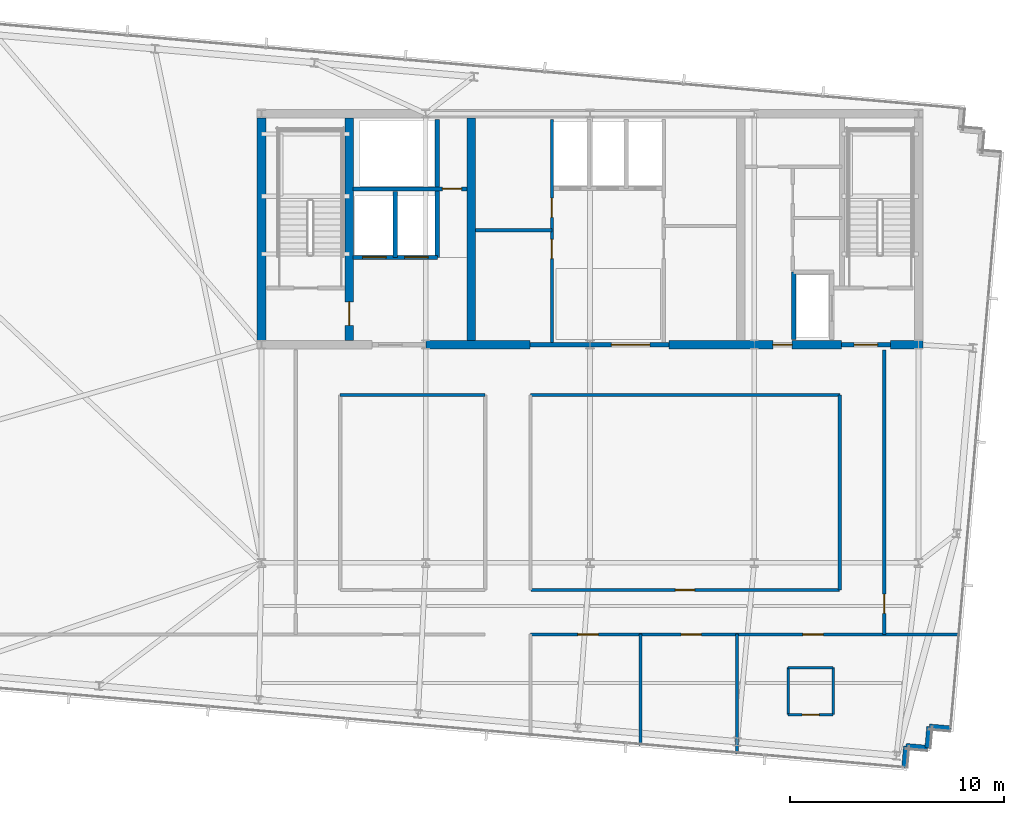
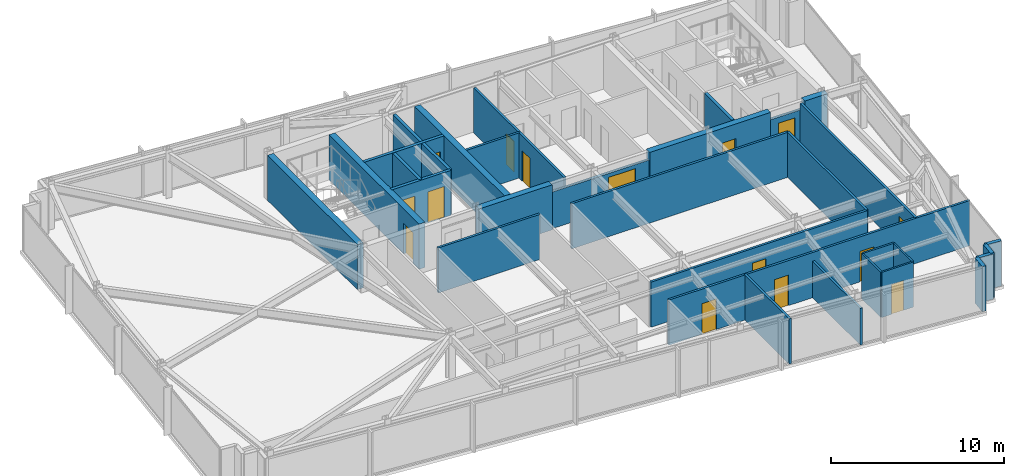
# One storey, part 27 of 32: 31 walls, 15 doors, 15 openings.
"""IFC4 building model written with IfcOpenShell, lengths in metres."""

from ifc_helpers import new_model, si_unit, direction, frame, frame_2d, origin, place, context, subcontext, project, spatial, rectangle, extrude, material, layer, layer_set, type_object, element, fill, save


model = new_model("IFC4")

# Units and contexts
model_context = context("Model", 3, precision=1e-05, world=origin(), true_north=direction((0.0, 1.0)))
body_context = subcontext(model_context, "Body", "Model", "MODEL_VIEW")
ifc_project = project(units=[si_unit("LENGTHUNIT", "METRE"), si_unit("AREAUNIT", "SQUARE_METRE"), si_unit("VOLUMEUNIT", "CUBIC_METRE"), si_unit("PLANEANGLEUNIT", "RADIAN"), si_unit("MASSUNIT", "GRAM", prefix="KILO")], contexts=[model_context])

# Site, building, storey
site_placement = place(None, origin())
site = spatial("IfcSite", under=ifc_project, at=site_placement, CompositionType="ELEMENT")
building_placement = place(site_placement, origin())
building = spatial("IfcBuilding", under=site, at=building_placement, Name="Yelkora Congress Tower", CompositionType="ELEMENT")
storey_placement = place(building_placement, frame((0.0, 0.0, 276.10009765625)))
storey = spatial("IfcBuildingStorey", under=building, at=storey_placement, Name="L77", CompositionType="ELEMENT", Elevation=276.10009765625)

# Wall
ifc_material_1 = material(Name="Concrete C50/60", Category="concrete")
ifc_layer_1 = layer(ifc_material_1, 0.39990234375)
ifc_layer_set_1 = layer_set([ifc_layer_1], Name="Concrete C50/60")
wall_type_1 = type_object("IfcWallType", Name="WALL-CORE-INT-400", PredefinedType="SHEAR", material=ifc_layer_set_1)
wall_1_placement = place(storey_placement, frame((30.719970703125, 35.39990234375, 0.0), z_axis=(0.0, 0.0, 1.0), x_axis=(1.0, 0.0, 0.0)))
element("IfcWall", 1, at=wall_1_placement, inside=storey, type_object=wall_type_1, Name="L77 Rear Core South-Center Shear Pier", PredefinedType="SHEAR", context=body_context, shape_type="SweptSolid", body=[
    extrude(rectangle(XDim=4.880126953125, YDim=0.39990234375, at=frame_2d((2.43994140625, 0.0))), origin(), (0.0, 0.0, 1.0), 3.179931640625),
])

# Wall, opening, door
wall_2_placement = place(storey_placement, frame((42.10009765625, 35.39990234375, 0.0), z_axis=(0.0, 0.0, 1.0), x_axis=(1.0, 0.0, 0.0)))
wall_2 = element("IfcWall", 2, at=wall_2_placement, inside=storey, type_object=wall_type_1, Name="L77 Rear Core South-East Shear Wall A", PredefinedType="SHEAR", context=body_context, shape_type="SweptSolid", body=[
    extrude(rectangle(XDim=8.0498046875, YDim=0.39990234375, at=frame_2d((4.02490234375, 0.0))), origin(), (0.0, 0.0, 1.0), 3.179931640625),
])
opening_1_placement = place(wall_2_placement, frame((4.85009765625, 0.0, 0.0)))
opening_1 = element("IfcOpeningElement", 3, at=opening_1_placement, cuts=wall_2, Name="Opening DR-090F6", PredefinedType="OPENING", context=body_context, shape_type="SweptSolid", body=[
    extrude(rectangle(XDim=0.89990234375, YDim=2.14990234375, at=frame_2d((0.449951171875, 1.074951171875))), frame((0.0, 0.2099609375, 0.0), z_axis=(0.0, -1.0, 0.0), x_axis=(1.0, 0.0, 0.0)), (0.0, 0.0, 1.0), 0.419921875),
])
ifc_material_2 = material(Name="Painted steel riser fire door leaf", Category="steel")
door_type_1 = type_object("IfcDoorType", Name="DOOR-FD60-900", OperationType="NOTDEFINED", PredefinedType="DOOR", material=ifc_material_2)
door_1_placement = place(opening_1_placement, origin())
door_1 = element("IfcDoor", 4, at=door_1_placement, inside=storey, type_object=door_type_1, Name="L77 Core Washroom Lobby Door", OperationType="SINGLE_SWING_RIGHT", OverallHeight=2.14990234375, OverallWidth=0.89990234375, PredefinedType="DOOR", context=body_context, shape_type="SweptSolid", body=[
    extrude(rectangle(XDim=0.89990234375, YDim=2.14990234375, at=frame_2d((0.449951171875, 1.074951171875))), frame((0.0, 0.02490234375, 0.0), z_axis=(0.0, -1.0, 0.0), x_axis=(1.0, 0.0, 0.0)), (0.0, 0.0, 1.0), 0.050048828125),
])
fill(opening_1, door_1)

# Walls
wall_3_placement = place(storey_placement, frame((52.449951171875, 35.39990234375, 0.0), z_axis=(0.0, 0.0, 1.0), x_axis=(1.0, 0.0, 0.0)))
element("IfcWall", 5, at=wall_3_placement, inside=storey, type_object=wall_type_1, Name="L77 Rear Core South-East Shear Wall B", PredefinedType="SHEAR", context=body_context, shape_type="SweptSolid", body=[
    extrude(rectangle(XDim=1.510009765625, YDim=0.39990234375, at=frame_2d((0.7548828125, 0.0))), origin(), (0.0, 0.0, 1.0), 3.179931640625),
])
wall_4_placement = place(storey_placement, frame((23.0400390625, 35.60009765625, 0.0), z_axis=(0.0, 0.0, 1.0), x_axis=(0.0, 1.0, 0.0)))
element("IfcWall", 6, at=wall_4_placement, inside=storey, type_object=wall_type_1, Name="L77 Rear Core Cross Shear Wall W", PredefinedType="SHEAR", context=body_context, shape_type="SweptSolid", body=[
    extrude(rectangle(XDim=10.39990234375, YDim=0.39990234375, at=frame_2d((5.199951171875, 0.0))), origin(), (0.0, 0.0, 1.0), 3.179931640625),
])

# Wall, opening, door
wall_5_placement = place(storey_placement, frame((27.14990234375, 35.60009765625, 0.0), z_axis=(0.0, 0.0, 1.0), x_axis=(0.0, 1.0, 0.0)))
wall_5 = element("IfcWall", 7, at=wall_5_placement, inside=storey, type_object=wall_type_1, Name="L77 Rear Core Cross Shear Wall C1", PredefinedType="SHEAR", context=body_context, shape_type="SweptSolid", body=[
    extrude(rectangle(XDim=10.39990234375, YDim=0.39990234375, at=frame_2d((5.199951171875, 0.0))), origin(), (0.0, 0.0, 1.0), 3.179931640625),
])
opening_2_placement = place(wall_5_placement, frame((0.699951171875, 0.0, 0.0)))
opening_2 = element("IfcOpeningElement", 8, at=opening_2_placement, cuts=wall_5, Name="Opening DR-110F9", PredefinedType="OPENING", context=body_context, shape_type="SweptSolid", body=[
    extrude(rectangle(XDim=1.10009765625, YDim=2.14990234375, at=frame_2d((0.550048828125, 1.074951171875))), frame((0.0, 0.2099609375, 0.0), z_axis=(0.0, -1.0, 0.0), x_axis=(1.0, 0.0, 0.0)), (0.0, 0.0, 1.0), 0.419921875),
])
ifc_material_3 = material(Name="Galvanised steel fire door leaf", Category="steel")
door_type_2 = type_object("IfcDoorType", Name="DOOR-FD90-1100", OperationType="NOTDEFINED", PredefinedType="DOOR", material=ifc_material_3)
door_2_placement = place(opening_2_placement, origin())
door_2 = element("IfcDoor", 9, at=door_2_placement, inside=storey, type_object=door_type_2, Name="L77 Firefighting Stair Transfer Door", OperationType="SINGLE_SWING_LEFT", OverallHeight=2.14990234375, OverallWidth=1.10009765625, PredefinedType="DOOR", context=body_context, shape_type="SweptSolid", body=[
    extrude(rectangle(XDim=1.10009765625, YDim=2.14990234375, at=frame_2d((0.550048828125, 1.074951171875))), frame((0.0, 0.02490234375, 0.0), z_axis=(0.0, -1.0, 0.0), x_axis=(1.0, 0.0, 0.0)), (0.0, 0.0, 1.0), 0.050048828125),
])
fill(opening_2, door_2)

# Walls
wall_6_placement = place(storey_placement, frame((32.85009765625, 35.60009765625, 0.0), z_axis=(0.0, 0.0, 1.0), x_axis=(0.0, 1.0, 0.0)))
element("IfcWall", 10, at=wall_6_placement, inside=storey, type_object=wall_type_1, Name="L77 Rear Core Cross Shear Wall C2", PredefinedType="SHEAR", context=body_context, shape_type="SweptSolid", body=[
    extrude(rectangle(XDim=10.39990234375, YDim=0.39990234375, at=frame_2d((5.199951171875, 0.0))), origin(), (0.0, 0.0, 1.0), 3.179931640625),
])
ifc_material_4 = material(Name="Concrete C40/50", Category="concrete")
ifc_layer_2 = layer(ifc_material_4, 0.239990234375)
ifc_layer_set_2 = layer_set([ifc_layer_2], Name="Concrete C40/50")
wall_type_2 = type_object("IfcWallType", Name="WALL-EXT-LIMESTONE-240", PredefinedType="SOLIDWALL", material=ifc_layer_set_2)
for number, where, z_axis, x_axis, name in (
    (11, (55.2578125, 17.458740234375, 0.0), (0.0, 0.0, 1.0), (-0.996193717496, 0.087166950281, 0.0), "L77 Serrated Corner Limestone Pier 16"),
    (12, (54.26171875, 17.5458984375, 0.0), (0.0, 0.0, 1.0), (-0.087166950281, -0.996193717496, 0.0), "L77 Serrated Corner Limestone Pier 17"),
):
    element("IfcWall", number, at=place(storey_placement, frame(where, z_axis=z_axis, x_axis=x_axis)), inside=storey, type_object=wall_type_2, Name=name, PredefinedType="SOLIDWALL", context=body_context, shape_type="SweptSolid", body=[
        extrude(rectangle(XDim=1.0, YDim=0.239990234375, at=frame_2d((0.5, 0.0))), origin(), (0.0, 0.0, 1.0), 3.179931640625),
    ])
for number, where, z_axis, x_axis, name in (
    (13, (54.174560546875, 16.5498046875, 0.0), (0.0, 0.0, 1.0), (-0.996195572005, 0.087145753297, 0.0), "L77 Serrated Corner Limestone Pier 18"),
    (14, (53.17822265625, 16.636962890625, 0.0), (0.0, 0.0, 1.0), (-0.087145753297, -0.996195572005, 0.0), "L77 Serrated Corner Limestone Pier 19"),
):
    element("IfcWall", number, at=place(storey_placement, frame(where, z_axis=z_axis, x_axis=x_axis)), inside=storey, type_object=wall_type_2, Name=name, PredefinedType="SOLIDWALL", context=body_context, shape_type="SweptSolid", body=[
        extrude(rectangle(XDim=1.000244140625, YDim=0.239990234375, at=frame_2d((0.5, 0.0))), origin(), (0.0, 0.0, 1.0), 3.179931640625),
    ])
ifc_material_5 = material(Name="Moisture-resistant gypsum partition", Category="gypsum")
ifc_layer_3 = layer(ifc_material_5, 0.1201171875)
ifc_layer_set_3 = layer_set([ifc_layer_3], Name="Moisture-resistant gypsum partition")
wall_type_3 = type_object("IfcWallType", Name="WALL-INT-120-NR", PredefinedType="PARTITIONING", material=ifc_layer_set_3)
wall_7_placement = place(storey_placement, frame((47.666015625, 20.300048828125, 0.0), z_axis=(0.0, 0.0, 1.0), x_axis=(1.0, 0.0, 0.0)))
element("IfcWall", 15, at=wall_7_placement, inside=storey, type_object=wall_type_3, Name="L77 Partition Wall 25", PredefinedType="PARTITIONING", context=body_context, shape_type="SweptSolid", body=[
    extrude(rectangle(XDim=2.10009765625, YDim=0.1201171875, at=frame_2d((1.050048828125, 0.0))), origin(), (0.0, 0.0, 1.0), 3.179931640625),
])
for number, where, z_axis, x_axis, name in (
    (16, (47.666015625, 18.10009765625, 0.0), (0.0, 0.0, 1.0), (0.0, 1.0, 0.0), "L77 Partition Wall 26"),
    (17, (49.76611328125, 18.10009765625, 0.0), (0.0, 0.0, 1.0), (0.0, 1.0, 0.0), "L77 Partition Wall 27"),
):
    element("IfcWall", number, at=place(storey_placement, frame(where, z_axis=z_axis, x_axis=x_axis)), inside=storey, type_object=wall_type_3, Name=name, PredefinedType="PARTITIONING", context=body_context, shape_type="SweptSolid", body=[
        extrude(rectangle(XDim=2.199951171875, YDim=0.1201171875, at=frame_2d((1.10009765625, 0.0))), origin(), (0.0, 0.0, 1.0), 3.179931640625),
    ])

# Wall, opening, door
wall_8_placement = place(storey_placement, frame((47.666015625, 18.10009765625, 0.0), z_axis=(0.0, 0.0, 1.0), x_axis=(1.0, 0.0, 0.0)))
wall_8 = element("IfcWall", 18, at=wall_8_placement, inside=storey, type_object=wall_type_3, Name="L77 Partition Wall 28", PredefinedType="PARTITIONING", context=body_context, shape_type="SweptSolid", body=[
    extrude(rectangle(XDim=2.10009765625, YDim=0.1201171875, at=frame_2d((1.050048828125, 0.0))), origin(), (0.0, 0.0, 1.0), 3.179931640625),
])
opening_3_placement = place(wall_8_placement, frame((0.64990234375, 0.0, 0.0)))
opening_3 = element("IfcOpeningElement", 19, at=opening_3_placement, cuts=wall_8, Name="Opening DR-080B", PredefinedType="OPENING", context=body_context, shape_type="SweptSolid", body=[
    extrude(rectangle(XDim=0.800048828125, YDim=2.10009765625, at=frame_2d((0.39990234375, 1.050048828125))), frame((0.0, 0.070068359375, 0.0), z_axis=(0.0, -1.0, 0.0), x_axis=(1.0, 0.0, 0.0)), (0.0, 0.0, 1.0), 0.14013671875),
])
ifc_material_6 = material(Name="Moisture-sealed en-suite timber door", Category="wood")
door_type_3 = type_object("IfcDoorType", Name="DOOR-BATH-800", OperationType="NOTDEFINED", PredefinedType="DOOR", material=ifc_material_6)
door_3_placement = place(opening_3_placement, origin())
door_3 = element("IfcDoor", 20, at=door_3_placement, inside=storey, type_object=door_type_3, Name="L77 En-suite Door 5", OperationType="SINGLE_SWING_RIGHT", OverallHeight=2.10009765625, OverallWidth=0.800048828125, PredefinedType="DOOR", context=body_context, shape_type="SweptSolid", body=[
    extrude(rectangle(XDim=0.800048828125, YDim=2.10009765625, at=frame_2d((0.39990234375, 1.050048828125))), frame((0.0, 0.02490234375, 0.0), z_axis=(0.0, -1.0, 0.0), x_axis=(1.0, 0.0, 0.0)), (0.0, 0.0, 1.0), 0.050048828125),
])
fill(opening_3, door_3)

ifc_material_7 = material(Name="Acoustic metal-stud gypsum partition", Category="gypsum")
ifc_layer_4 = layer(ifc_material_7, 0.14990234375)
ifc_layer_set_4 = layer_set([ifc_layer_4], Name="Acoustic metal-stud gypsum partition")
wall_type_4 = type_object("IfcWallType", Name="WALL-INT-150-NR", PredefinedType="PARTITIONING", material=ifc_layer_set_4)
wall_9_placement = place(storey_placement, frame((52.159912109375, 21.85009765625, 0.0), z_axis=(0.0, 0.0, 1.0), x_axis=(0.0, 1.0, 0.0)))
wall_9 = element("IfcWall", 21, at=wall_9_placement, inside=storey, type_object=wall_type_4, Name="L77 Partition Wall 33", PredefinedType="PARTITIONING", context=body_context, shape_type="SweptSolid", body=[
    extrude(rectangle(XDim=13.289794921875, YDim=0.14990234375, at=frame_2d((6.64501953125, 0.0))), origin(), (0.0, 0.0, 1.0), 3.179931640625),
])
opening_4_placement = place(wall_9_placement, frame((0.984375, 0.0, 0.0)))
opening_4 = element("IfcOpeningElement", 22, at=opening_4_placement, cuts=wall_9, Name="Opening DR-090N", PredefinedType="OPENING", context=body_context, shape_type="SweptSolid", body=[
    extrude(rectangle(XDim=0.89990234375, YDim=2.14990234375, at=frame_2d((0.449951171875, 1.074951171875))), frame((0.0, 0.0849609375, 0.0), z_axis=(0.0, -1.0, 0.0), x_axis=(1.0, 0.0, 0.0)), (0.0, 0.0, 1.0), 0.169921875),
])
ifc_material_8 = material(Name="Moisture-resistant laminate door leaf", Category="wood")
door_type_4 = type_object("IfcDoorType", Name="DOOR-INT-900", OperationType="NOTDEFINED", PredefinedType="DOOR", material=ifc_material_8)
door_4_placement = place(opening_4_placement, origin())
door_4 = element("IfcDoor", 23, at=door_4_placement, inside=storey, type_object=door_type_4, Name="L77 E Wing Door", OperationType="SINGLE_SWING_RIGHT", OverallHeight=2.14990234375, OverallWidth=0.89990234375, PredefinedType="DOOR", context=body_context, shape_type="SweptSolid", body=[
    extrude(rectangle(XDim=0.89990234375, YDim=2.14990234375, at=frame_2d((0.449951171875, 1.074951171875))), frame((0.0, 0.02490234375, 0.0), z_axis=(0.0, -1.0, 0.0), x_axis=(1.0, 0.0, 0.0)), (0.0, 0.0, 1.0), 0.050048828125),
])
fill(opening_4, door_4)

# Walls
wall_10_placement = place(storey_placement, frame((50.080078125, 23.929931640625, 0.0), z_axis=(0.0, 0.0, 1.0), x_axis=(0.0, 1.0, 0.0)))
element("IfcWall", 24, at=wall_10_placement, inside=storey, type_object=wall_type_4, Name="L77 Partition Wall 35", PredefinedType="PARTITIONING", context=body_context, shape_type="SweptSolid", body=[
    extrude(rectangle(XDim=9.1201171875, YDim=0.14990234375, at=frame_2d((4.56005859375, 0.0))), origin(), (0.0, 0.0, 1.0), 3.179931640625),
])
wall_11_placement = place(storey_placement, frame((26.719970703125, 33.050048828125, 0.0), z_axis=(0.0, 0.0, 1.0), x_axis=(1.0, 0.0, 0.0)))
element("IfcWall", 25, at=wall_11_placement, inside=storey, type_object=wall_type_4, Name="L77 Partition Wall 38", PredefinedType="PARTITIONING", context=body_context, shape_type="SweptSolid", body=[
    extrude(rectangle(XDim=6.780029296875, YDim=0.14990234375, at=frame_2d((3.39013671875, 0.0))), origin(), (0.0, 0.0, 1.0), 3.179931640625),
])
wall_12_placement = place(storey_placement, frame((35.6201171875, 33.050048828125, 0.0), z_axis=(0.0, 0.0, 1.0), x_axis=(1.0, 0.0, 0.0)))
element("IfcWall", 26, at=wall_12_placement, inside=storey, type_object=wall_type_4, Name="L77 Partition Wall 39", PredefinedType="PARTITIONING", context=body_context, shape_type="SweptSolid", body=[
    extrude(rectangle(XDim=14.4599609375, YDim=0.14990234375, at=frame_2d((7.22998046875, 0.0))), origin(), (0.0, 0.0, 1.0), 3.179931640625),
])

# Wall, opening, door
wall_13_placement = place(storey_placement, frame((35.6298828125, 23.929931640625, 0.0), z_axis=(0.0, 0.0, 1.0), x_axis=(1.0, 0.0, 0.0)))
wall_13 = element("IfcWall", 27, at=wall_13_placement, inside=storey, type_object=wall_type_4, Name="L77 Partition Wall 41", PredefinedType="PARTITIONING", context=body_context, shape_type="SweptSolid", body=[
    extrude(rectangle(XDim=14.43017578125, YDim=0.14990234375, at=frame_2d((7.215087890625, 0.0))), origin(), (0.0, 0.0, 1.0), 3.179931640625),
])
opening_5_placement = place(wall_13_placement, frame((6.764892578125, 0.0, 0.0)))
opening_5 = element("IfcOpeningElement", 28, at=opening_5_placement, cuts=wall_13, Name="Opening DR-090N", PredefinedType="OPENING", context=body_context, shape_type="SweptSolid", body=[
    extrude(rectangle(XDim=0.89990234375, YDim=2.14990234375, at=frame_2d((0.449951171875, 1.074951171875))), frame((0.0, 0.0849609375, 0.0), z_axis=(0.0, -1.0, 0.0), x_axis=(1.0, 0.0, 0.0)), (0.0, 0.0, 1.0), 0.169921875),
])
door_5_placement = place(opening_5_placement, origin())
door_5 = element("IfcDoor", 29, at=door_5_placement, inside=storey, type_object=door_type_4, Name="L77 Diplomatic Day Lounge Door", OperationType="SINGLE_SWING_RIGHT", OverallHeight=2.14990234375, OverallWidth=0.89990234375, PredefinedType="DOOR", context=body_context, shape_type="SweptSolid", body=[
    extrude(rectangle(XDim=0.89990234375, YDim=2.14990234375, at=frame_2d((0.449951171875, 1.074951171875))), frame((0.0, 0.02490234375, 0.0), z_axis=(0.0, -1.0, 0.0), x_axis=(1.0, 0.0, 0.0)), (0.0, 0.0, 1.0), 0.050048828125),
])
fill(opening_5, door_5)

# Wall
ifc_material_9 = material(Name="Twin-stud fire-rated gypsum partition", Category="gypsum")
ifc_layer_5 = layer(ifc_material_9, 0.14990234375)
ifc_layer_set_5 = layer_set([ifc_layer_5], Name="Twin-stud fire-rated gypsum partition")
wall_type_5 = type_object("IfcWallType", Name="WALL-INT-150-R60", PredefinedType="PARTITIONING", material=ifc_layer_set_5)
wall_14_placement = place(storey_placement, frame((33.050048828125, 40.75, 0.0), z_axis=(0.0, 0.0, 1.0), x_axis=(1.0, 0.0, 0.0)))
element("IfcWall", 30, at=wall_14_placement, inside=storey, type_object=wall_type_5, Name="L77 Partition Wall 11", PredefinedType="PARTITIONING", context=body_context, shape_type="SweptSolid", body=[
    extrude(rectangle(XDim=3.570068359375, YDim=0.14990234375, at=frame_2d((1.78515625, 0.0))), origin(), (0.0, 0.0, 1.0), 3.179931640625),
])

# Wall, openings, doors
wall_15_placement = place(storey_placement, frame((36.6201171875, 35.5, 0.0), z_axis=(0.0, 0.0, 1.0), x_axis=(0.0, 1.0, 0.0)))
wall_15 = element("IfcWall", 31, at=wall_15_placement, inside=storey, type_object=wall_type_5, Name="L77 Partition Wall 12", PredefinedType="PARTITIONING", context=body_context, shape_type="SweptSolid", body=[
    extrude(rectangle(XDim=10.419921875, YDim=0.14990234375, at=frame_2d((5.2099609375, 0.0))), origin(), (0.0, 0.0, 1.0), 3.179931640625),
])
opening_6_placement = place(wall_15_placement, frame((3.919921875, 0.0, 0.0)))
opening_6 = element("IfcOpeningElement", 32, at=opening_6_placement, cuts=wall_15, Name="Opening DR-090F6", PredefinedType="OPENING", context=body_context, shape_type="SweptSolid", body=[
    extrude(rectangle(XDim=0.89990234375, YDim=2.14990234375, at=frame_2d((0.449951171875, 1.074951171875))), frame((0.0, 0.0849609375, 0.0), z_axis=(0.0, -1.0, 0.0), x_axis=(1.0, 0.0, 0.0)), (0.0, 0.0, 1.0), 0.169921875),
])
opening_7_placement = place(wall_15_placement, frame((5.85009765625, 0.0, 0.0)))
opening_7 = element("IfcOpeningElement", 33, at=opening_7_placement, cuts=wall_15, Name="Opening DR-090F6", PredefinedType="OPENING", context=body_context, shape_type="SweptSolid", body=[
    extrude(rectangle(XDim=0.89990234375, YDim=2.14990234375, at=frame_2d((0.449951171875, 1.074951171875))), frame((0.0, 0.0849609375, 0.0), z_axis=(0.0, -1.0, 0.0), x_axis=(1.0, 0.0, 0.0)), (0.0, 0.0, 1.0), 0.169921875),
])
door_6_placement = place(opening_6_placement, origin())
door_6 = element("IfcDoor", 34, at=door_6_placement, inside=storey, type_object=door_type_1, Name="L77 Telecom Store Door", OperationType="SINGLE_SWING_RIGHT", OverallHeight=2.14990234375, OverallWidth=0.89990234375, PredefinedType="DOOR", context=body_context, shape_type="SweptSolid", body=[
    extrude(rectangle(XDim=0.89990234375, YDim=2.14990234375, at=frame_2d((0.449951171875, 1.074951171875))), frame((0.0, 0.02490234375, 0.0), z_axis=(0.0, -1.0, 0.0), x_axis=(1.0, 0.0, 0.0)), (0.0, 0.0, 1.0), 0.050048828125),
])
fill(opening_6, door_6)
door_7_placement = place(opening_7_placement, origin())
door_7 = element("IfcDoor", 35, at=door_7_placement, inside=storey, type_object=door_type_1, Name="L77 Archive Store Door", OperationType="SINGLE_SWING_LEFT", OverallHeight=2.14990234375, OverallWidth=0.89990234375, PredefinedType="DOOR", context=body_context, shape_type="SweptSolid", body=[
    extrude(rectangle(XDim=0.89990234375, YDim=2.14990234375, at=frame_2d((0.449951171875, 1.074951171875))), frame((0.0, 0.02490234375, 0.0), z_axis=(0.0, -1.0, 0.0), x_axis=(1.0, 0.0, 0.0)), (0.0, 0.0, 1.0), 0.050048828125),
])
fill(opening_7, door_7)

# Walls
wall_16_placement = place(storey_placement, frame((40.761962890625, 16.6591796875, 0.0), z_axis=(0.0, 0.0, 1.0), x_axis=(0.0, 1.0, 0.0)))
element("IfcWall", 36, at=wall_16_placement, inside=storey, type_object=wall_type_5, Name="L77 Partition Wall 24", PredefinedType="PARTITIONING", context=body_context, shape_type="SweptSolid", body=[
    extrude(rectangle(XDim=5.2109375, YDim=0.14990234375, at=frame_2d((2.60546875, 0.0))), origin(), (0.0, 0.0, 1.0), 3.179931640625),
])
wall_17_placement = place(storey_placement, frame((45.27197265625, 16.264404296875, 0.0), z_axis=(0.0, 0.0, 1.0), x_axis=(0.0, 1.0, 0.0)))
element("IfcWall", 37, at=wall_17_placement, inside=storey, type_object=wall_type_5, Name="L77 Partition Wall 29", PredefinedType="PARTITIONING", context=body_context, shape_type="SweptSolid", body=[
    extrude(rectangle(XDim=5.605712890625, YDim=0.14990234375, at=frame_2d((2.802734375, 0.0))), origin(), (0.0, 0.0, 1.0), 2.574951171875),
])

# Wall, openings, doors
wall_18_placement = place(storey_placement, frame((35.6201171875, 21.85009765625, 0.0), z_axis=(0.0, 0.0, 1.0), x_axis=(1.0, 0.0, 0.0)))
wall_18 = element("IfcWall", 38, at=wall_18_placement, inside=storey, type_object=wall_type_5, Name="L77 South Spine Wall East", PredefinedType="PARTITIONING", context=body_context, shape_type="SweptSolid", body=[
    extrude(rectangle(XDim=20.082275390625, YDim=0.14990234375, at=frame_2d((10.041015625, 0.0))), origin(), (0.0, 0.0, 1.0), 3.179931640625),
])
opening_8_placement = place(wall_18_placement, frame((2.216064453125, 0.0, 0.0)))
opening_8 = element("IfcOpeningElement", 39, at=opening_8_placement, cuts=wall_18, Name="Opening DR-095F6", PredefinedType="OPENING", context=body_context, shape_type="SweptSolid", body=[
    extrude(rectangle(XDim=0.949951171875, YDim=2.14990234375, at=frame_2d((0.47509765625, 1.074951171875))), frame((0.0, 0.0849609375, 0.0), z_axis=(0.0, -1.0, 0.0), x_axis=(1.0, 0.0, 0.0)), (0.0, 0.0, 1.0), 0.169921875),
])
opening_9_placement = place(wall_18_placement, frame((7.037109375, 0.0, 0.0)))
opening_9 = element("IfcOpeningElement", 40, at=opening_9_placement, cuts=wall_18, Name="Opening DR-095F6", PredefinedType="OPENING", context=body_context, shape_type="SweptSolid", body=[
    extrude(rectangle(XDim=0.949951171875, YDim=2.14990234375, at=frame_2d((0.47509765625, 1.074951171875))), frame((0.0, 0.0849609375, 0.0), z_axis=(0.0, -1.0, 0.0), x_axis=(1.0, 0.0, 0.0)), (0.0, 0.0, 1.0), 0.169921875),
])
opening_10_placement = place(wall_18_placement, frame((12.736083984375, 0.0, 0.0)))
opening_10 = element("IfcOpeningElement", 41, at=opening_10_placement, cuts=wall_18, Name="Opening DR-095F6", PredefinedType="OPENING", context=body_context, shape_type="SweptSolid", body=[
    extrude(rectangle(XDim=0.949951171875, YDim=2.14990234375, at=frame_2d((0.47509765625, 1.074951171875))), frame((0.0, 0.0849609375, 0.0), z_axis=(0.0, -1.0, 0.0), x_axis=(1.0, 0.0, 0.0)), (0.0, 0.0, 1.0), 0.169921875),
])
ifc_material_10 = material(Name="Acoustic oak-veneer fire door leaf", Category="wood")
door_type_5 = type_object("IfcDoorType", Name="DOOR-FD60-950", OperationType="NOTDEFINED", PredefinedType="DOOR", material=ifc_material_10)
door_8_placement = place(opening_8_placement, origin())
door_8 = element("IfcDoor", 42, at=door_8_placement, inside=storey, type_object=door_type_5, Name="L77 VIP Hospitality Lounge Entry Door", OperationType="SINGLE_SWING_RIGHT", OverallHeight=2.14990234375, OverallWidth=0.949951171875, PredefinedType="DOOR", context=body_context, shape_type="SweptSolid", body=[
    extrude(rectangle(XDim=0.949951171875, YDim=2.14990234375, at=frame_2d((0.47509765625, 1.074951171875))), frame((0.0, 0.02490234375, 0.0), z_axis=(0.0, -1.0, 0.0), x_axis=(1.0, 0.0, 0.0)), (0.0, 0.0, 1.0), 0.050048828125),
])
fill(opening_8, door_8)
door_9_placement = place(opening_9_placement, origin())
door_9 = element("IfcDoor", 43, at=door_9_placement, inside=storey, type_object=door_type_5, Name="L77 VIP Hospitality Lounge Entry Door", OperationType="SINGLE_SWING_LEFT", OverallHeight=2.14990234375, OverallWidth=0.949951171875, PredefinedType="DOOR", context=body_context, shape_type="SweptSolid", body=[
    extrude(rectangle(XDim=0.949951171875, YDim=2.14990234375, at=frame_2d((0.47509765625, 1.074951171875))), frame((0.0, 0.02490234375, 0.0), z_axis=(0.0, -1.0, 0.0), x_axis=(1.0, 0.0, 0.0)), (0.0, 0.0, 1.0), 0.050048828125),
])
fill(opening_9, door_9)
door_10_placement = place(opening_10_placement, origin())
door_10 = element("IfcDoor", 44, at=door_10_placement, inside=storey, type_object=door_type_5, Name="L77 Hotel Guest Room 05 Entry Door", OperationType="SINGLE_SWING_RIGHT", OverallHeight=2.14990234375, OverallWidth=0.949951171875, PredefinedType="DOOR", context=body_context, shape_type="SweptSolid", body=[
    extrude(rectangle(XDim=0.949951171875, YDim=2.14990234375, at=frame_2d((0.47509765625, 1.074951171875))), frame((0.0, 0.02490234375, 0.0), z_axis=(0.0, -1.0, 0.0), x_axis=(1.0, 0.0, 0.0)), (0.0, 0.0, 1.0), 0.050048828125),
])
fill(opening_10, door_10)

ifc_material_11 = material(Name="Autoclaved aerated concrete blockwork", Category="masonry")
ifc_layer_6 = layer(ifc_material_11, 0.199951171875)
ifc_layer_set_6 = layer_set([ifc_layer_6], Name="Autoclaved aerated concrete blockwork")
wall_type_6 = type_object("IfcWallType", Name="WALL-INT-200-R120", PredefinedType="PARTITIONING", material=ifc_layer_set_6)
wall_19_placement = place(storey_placement, frame((27.320068359375, 39.47998046875, 0.0), z_axis=(0.0, 0.0, 1.0), x_axis=(1.0, 0.0, 0.0)))
wall_19 = element("IfcWall", 45, at=wall_19_placement, inside=storey, type_object=wall_type_6, Name="L77 Firefighting Lift Front Wall", PredefinedType="PARTITIONING", context=body_context, shape_type="SweptSolid", body=[
    extrude(rectangle(XDim=3.93994140625, YDim=0.199951171875, at=frame_2d((1.969970703125, 0.0))), origin(), (0.0, 0.0, 1.0), 3.179931640625),
])
opening_11_placement = place(wall_19_placement, frame((0.449951171875, 0.0, 0.0)))
opening_11 = element("IfcOpeningElement", 46, at=opening_11_placement, cuts=wall_19, Name="Opening LD-FF11", PredefinedType="OPENING", context=body_context, shape_type="SweptSolid", body=[
    extrude(rectangle(XDim=1.10009765625, YDim=2.199951171875, at=frame_2d((0.550048828125, 1.10009765625))), frame((0.0, 0.10986328125, 0.0), z_axis=(0.0, -1.0, 0.0), x_axis=(1.0, 0.0, 0.0)), (0.0, 0.0, 1.0), 0.219970703125),
])
opening_12_placement = place(wall_19_placement, frame((2.409912109375, 0.0, 0.0)))
opening_12 = element("IfcOpeningElement", 47, at=opening_12_placement, cuts=wall_19, Name="Opening LD-FF11", PredefinedType="OPENING", context=body_context, shape_type="SweptSolid", body=[
    extrude(rectangle(XDim=1.10009765625, YDim=2.199951171875, at=frame_2d((0.550048828125, 1.10009765625))), frame((0.0, 0.10986328125, 0.0), z_axis=(0.0, -1.0, 0.0), x_axis=(1.0, 0.0, 0.0)), (0.0, 0.0, 1.0), 0.219970703125),
])
ifc_material_12 = material(Name="Brushed stainless steel 316L landing door", Category="steel")
door_type_6 = type_object("IfcDoorType", Name="DOOR-LIFT-FF-1100", OperationType="DOUBLE_DOOR_SLIDING", PredefinedType="DOOR", material=ifc_material_12)
door_11_placement = place(opening_11_placement, origin())
door_11 = element("IfcDoor", 48, at=door_11_placement, inside=storey, type_object=door_type_6, Name="Lift Landing Door LF-FF1 L77", OperationType="DOUBLE_DOOR_SLIDING", OverallHeight=2.199951171875, OverallWidth=1.10009765625, PredefinedType="DOOR", context=body_context, shape_type="SweptSolid", body=[
    extrude(rectangle(XDim=1.10009765625, YDim=2.199951171875, at=frame_2d((0.550048828125, 1.10009765625))), frame((0.0, 0.02490234375, 0.0), z_axis=(0.0, -1.0, 0.0), x_axis=(1.0, 0.0, 0.0)), (0.0, 0.0, 1.0), 0.050048828125),
])
fill(opening_11, door_11)
door_12_placement = place(opening_12_placement, origin())
door_12 = element("IfcDoor", 49, at=door_12_placement, inside=storey, type_object=door_type_6, Name="Lift Landing Door LF-FF2 L77", OperationType="DOUBLE_DOOR_SLIDING", OverallHeight=2.199951171875, OverallWidth=1.10009765625, PredefinedType="DOOR", context=body_context, shape_type="SweptSolid", body=[
    extrude(rectangle(XDim=1.10009765625, YDim=2.199951171875, at=frame_2d((0.550048828125, 1.10009765625))), frame((0.0, 0.02490234375, 0.0), z_axis=(0.0, -1.0, 0.0), x_axis=(1.0, 0.0, 0.0)), (0.0, 0.0, 1.0), 0.050048828125),
])
fill(opening_12, door_12)

# Walls
wall_20_placement = place(storey_placement, frame((29.300048828125, 39.47998046875, 0.0), z_axis=(0.0, 0.0, 1.0), x_axis=(0.0, 1.0, 0.0)))
element("IfcWall", 50, at=wall_20_placement, inside=storey, type_object=wall_type_6, Name="L77 Partition Wall 4", PredefinedType="PARTITIONING", context=body_context, shape_type="SweptSolid", body=[
    extrude(rectangle(XDim=3.070068359375, YDim=0.199951171875, at=frame_2d((1.53515625, 0.0))), origin(), (0.0, 0.0, 1.0), 3.179931640625),
])
wall_21_placement = place(storey_placement, frame((31.260009765625, 39.47998046875, 0.0), z_axis=(0.0, 0.0, 1.0), x_axis=(0.0, 1.0, 0.0)))
element("IfcWall", 51, at=wall_21_placement, inside=storey, type_object=wall_type_6, Name="L77 Partition Wall 5", PredefinedType="PARTITIONING", context=body_context, shape_type="SweptSolid", body=[
    extrude(rectangle(XDim=6.43994140625, YDim=0.199951171875, at=frame_2d((3.219970703125, 0.0))), origin(), (0.0, 0.0, 1.0), 3.179931640625),
])

# Wall, opening, door
wall_22_placement = place(storey_placement, frame((27.320068359375, 42.679931640625, 0.0), z_axis=(0.0, 0.0, 1.0), x_axis=(1.0, 0.0, 0.0)))
wall_22 = element("IfcWall", 52, at=wall_22_placement, inside=storey, type_object=wall_type_6, Name="L77 Smoke Riser South Wall", PredefinedType="PARTITIONING", context=body_context, shape_type="SweptSolid", body=[
    extrude(rectangle(XDim=5.329833984375, YDim=0.199951171875, at=frame_2d((2.6650390625, 0.0))), origin(), (0.0, 0.0, 1.0), 3.179931640625),
])
opening_13_placement = place(wall_22_placement, frame((4.179931640625, 0.0, 0.0)))
opening_13 = element("IfcOpeningElement", 53, at=opening_13_placement, cuts=wall_22, Name="Opening DR-090F6", PredefinedType="OPENING", context=body_context, shape_type="SweptSolid", body=[
    extrude(rectangle(XDim=0.89990234375, YDim=2.14990234375, at=frame_2d((0.449951171875, 1.074951171875))), frame((0.0, 0.10986328125, 0.0), z_axis=(0.0, -1.0, 0.0), x_axis=(1.0, 0.0, 0.0)), (0.0, 0.0, 1.0), 0.219970703125),
])
door_13_placement = place(opening_13_placement, origin())
door_13 = element("IfcDoor", 54, at=door_13_placement, inside=storey, type_object=door_type_1, Name="L77 Riser Access Door", OperationType="SINGLE_SWING_LEFT", OverallHeight=2.14990234375, OverallWidth=0.89990234375, PredefinedType="DOOR", context=body_context, shape_type="SweptSolid", body=[
    extrude(rectangle(XDim=0.89990234375, YDim=2.14990234375, at=frame_2d((0.449951171875, 1.074951171875))), frame((0.0, 0.02490234375, 0.0), z_axis=(0.0, -1.0, 0.0), x_axis=(1.0, 0.0, 0.0)), (0.0, 0.0, 1.0), 0.050048828125),
])
fill(opening_13, door_13)

wall_23_placement = place(storey_placement, frame((35.60009765625, 35.39990234375, 0.0), z_axis=(0.0, 0.0, 1.0), x_axis=(1.0, 0.0, 0.0)))
wall_23 = element("IfcWall", 55, at=wall_23_placement, inside=storey, type_object=wall_type_6, Name="L77 Main Lift Lobby South Portal Wall", PredefinedType="PARTITIONING", context=body_context, shape_type="SweptSolid", body=[
    extrude(rectangle(XDim=6.5, YDim=0.199951171875, at=frame_2d((3.25, 0.0))), origin(), (0.0, 0.0, 1.0), 2.574951171875),
])
opening_14_placement = place(wall_23_placement, frame((3.800048828125, 0.0, 0.0)))
opening_14 = element("IfcOpeningElement", 56, at=opening_14_placement, cuts=wall_23, Name="Opening DR-180D", PredefinedType="OPENING", context=body_context, shape_type="SweptSolid", body=[
    extrude(rectangle(XDim=1.800048828125, YDim=2.300048828125, at=frame_2d((0.89990234375, 1.14990234375))), frame((0.0, 0.10986328125, 0.0), z_axis=(0.0, -1.0, 0.0), x_axis=(1.0, 0.0, 0.0)), (0.0, 0.0, 1.0), 0.219970703125),
])
ifc_material_13 = material(Name="Acoustic double congress hall doors", Category="wood")
door_type_7 = type_object("IfcDoorType", Name="DOOR-DBL-1800", OperationType="DOUBLE_DOOR_SINGLE_SWING", PredefinedType="DOOR", material=ifc_material_13)
door_14_placement = place(opening_14_placement, origin())
door_14 = element("IfcDoor", 57, at=door_14_placement, inside=storey, type_object=door_type_7, Name="L77 Main Lift Lobby Portal Door", OperationType="DOUBLE_DOOR_SINGLE_SWING", OverallHeight=2.300048828125, OverallWidth=1.800048828125, PredefinedType="DOOR", context=body_context, shape_type="SweptSolid", body=[
    extrude(rectangle(XDim=1.800048828125, YDim=2.300048828125, at=frame_2d((0.89990234375, 1.14990234375))), frame((0.0, 0.02490234375, 0.0), z_axis=(0.0, -1.0, 0.0), x_axis=(1.0, 0.0, 0.0)), (0.0, 0.0, 1.0), 0.050048828125),
])
fill(opening_14, door_14)

wall_24_placement = place(storey_placement, frame((50.14990234375, 35.39990234375, 0.0), z_axis=(0.0, 0.0, 1.0), x_axis=(1.0, 0.0, 0.0)))
wall_24 = element("IfcWall", 58, at=wall_24_placement, inside=storey, type_object=wall_type_6, Name="L77 Partition Wall 16", PredefinedType="PARTITIONING", context=body_context, shape_type="SweptSolid", body=[
    extrude(rectangle(XDim=2.300048828125, YDim=0.199951171875, at=frame_2d((1.14990234375, 0.0))), origin(), (0.0, 0.0, 1.0), 2.574951171875),
])
opening_15_placement = place(wall_24_placement, frame((0.60009765625, 0.0, 0.0)))
opening_15 = element("IfcOpeningElement", 59, at=opening_15_placement, cuts=wall_24, Name="Opening DR-110F9", PredefinedType="OPENING", context=body_context, shape_type="SweptSolid", body=[
    extrude(rectangle(XDim=1.10009765625, YDim=2.14990234375, at=frame_2d((0.550048828125, 1.074951171875))), frame((0.0, 0.10986328125, 0.0), z_axis=(0.0, -1.0, 0.0), x_axis=(1.0, 0.0, 0.0)), (0.0, 0.0, 1.0), 0.219970703125),
])
door_15_placement = place(opening_15_placement, origin())
door_15 = element("IfcDoor", 60, at=door_15_placement, inside=storey, type_object=door_type_2, Name="L77 East Stair Lobby Door", OperationType="SINGLE_SWING_LEFT", OverallHeight=2.14990234375, OverallWidth=1.10009765625, PredefinedType="DOOR", context=body_context, shape_type="SweptSolid", body=[
    extrude(rectangle(XDim=1.10009765625, YDim=2.14990234375, at=frame_2d((0.550048828125, 1.074951171875))), frame((0.0, 0.02490234375, 0.0), z_axis=(0.0, -1.0, 0.0), x_axis=(1.0, 0.0, 0.0)), (0.0, 0.0, 1.0), 0.050048828125),
])
fill(opening_15, door_15)

# Wall
wall_25_placement = place(storey_placement, frame((47.919921875, 35.64990234375, 0.0), z_axis=(0.0, 0.0, 1.0), x_axis=(0.0, 1.0, 0.0)))
element("IfcWall", 61, at=wall_25_placement, inside=storey, type_object=wall_type_6, Name="L77 Partition Wall 18", PredefinedType="PARTITIONING", context=body_context, shape_type="SweptSolid", body=[
    extrude(rectangle(XDim=3.150146484375, YDim=0.199951171875, at=frame_2d((1.5751953125, 0.0))), origin(), (0.0, 0.0, 1.0), 3.179931640625),
])

save(model, "model.ifc")
